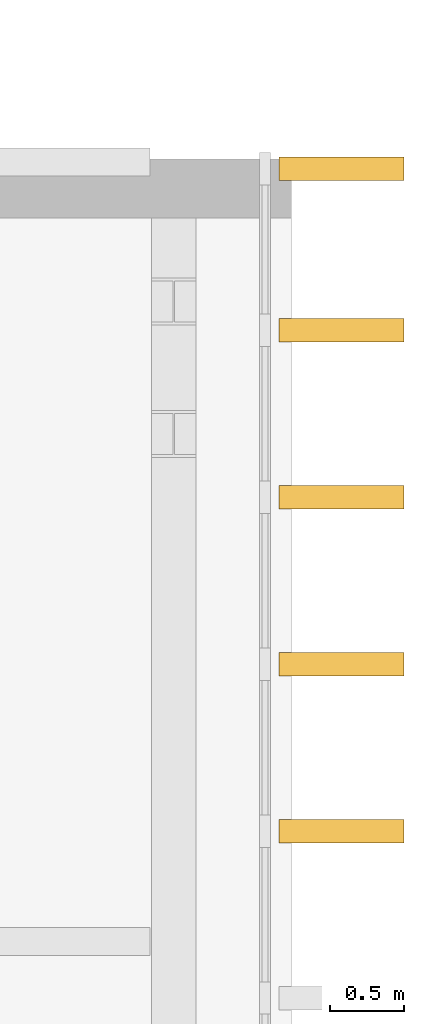
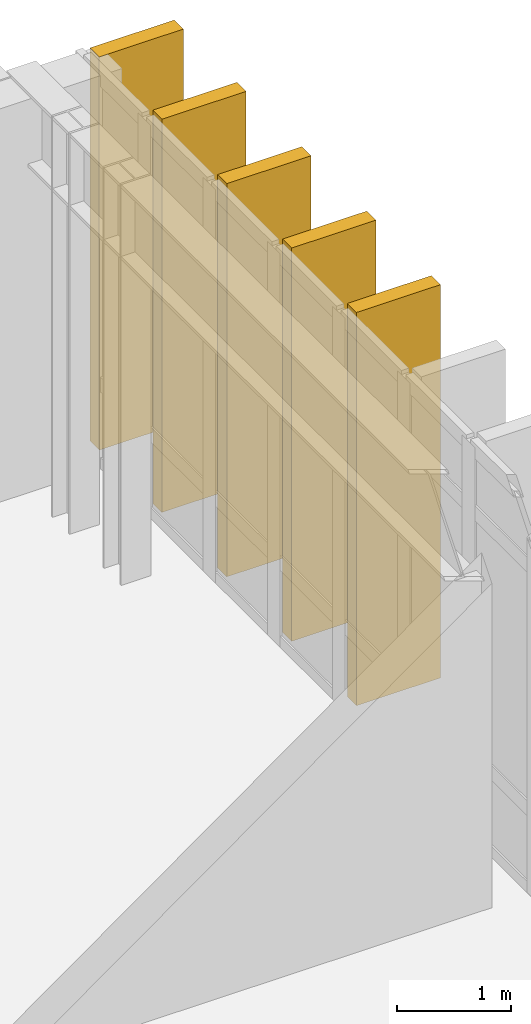
# One storey, part 23 of 23: 5 coverings.
"""IFC4 building model written with IfcOpenShell, lengths in metres."""

from ifc_helpers import new_model, si_unit, direction, frame, origin, origin_2d, place, context, subcontext, project, spatial, rectangle, extrude, material, layer, layer_set, type_object, element, save


model = new_model("IFC4")

# Units and contexts
model_context = context("Model", 3, precision=1e-05, world=origin(), true_north=direction((0.0, 1.0)))
body_context = subcontext(model_context, "Body", "Model", "MODEL_VIEW")
ifc_project = project(units=[si_unit("LENGTHUNIT", "METRE"), si_unit("AREAUNIT", "SQUARE_METRE"), si_unit("VOLUMEUNIT", "CUBIC_METRE"), si_unit("PLANEANGLEUNIT", "RADIAN"), si_unit("MASSUNIT", "GRAM", prefix="KILO")], contexts=[model_context])

# Site, building, storey
site_placement = place(None, origin())
site = spatial("IfcSite", under=ifc_project, at=site_placement, CompositionType="ELEMENT")
building_placement = place(site_placement, origin())
building = spatial("IfcBuilding", under=site, at=building_placement, Name="Kelarvand Opera House", CompositionType="ELEMENT")
storey_placement = place(building_placement, frame((0.0, 0.0, 19.5)))
storey = spatial("IfcBuildingStorey", under=building, at=storey_placement, Name="L04", CompositionType="ELEMENT", Elevation=19.5)

# Coverings
ifc_material = material(Name="Azarshahr buff travertine stone panels", Category="masonry")
ifc_layer = layer(ifc_material, 0.159912109375, Name="Azarshahr buff travertine stone panels", Category="masonry")
ifc_layer_set = layer_set([ifc_layer], Name="Azarshahr buff travertine stone panels")
covering_type = type_object("IfcCoveringType", Name="Vertical Travertine-Bronze Architectural Fin 850x160", PredefinedType="CLADDING", material=ifc_layer_set)
for number, where, z_axis, x_axis, name in (
    (1, (155.340087890625, 78.3525390625, 0.0), (0.0, 0.0, 1.0), (1.0, 0.0, 0.0), "V1 East Facade Vertical Fin 125"),
    (2, (155.340087890625, 77.25537109375, 0.0), (0.0, 0.0, 1.0), (1.0, 0.0, 0.0), "V1 East Facade Vertical Fin 126"),
    (3, (155.340087890625, 76.12060546875, 0.0), (0.0, 0.0, 1.0), (1.0, 0.0, 0.0), "V1 East Facade Vertical Fin 127"),
    (4, (155.340087890625, 74.98583984375, 0.0), (0.0, 0.0, 1.0), (1.0, 0.0, 0.0), "V1 East Facade Vertical Fin 128"),
    (5, (155.340087890625, 73.85107421875, 0.0), (0.0, 0.0, 1.0), (1.0, 0.0, 0.0), "V1 East Facade Vertical Fin 129"),
):
    element("IfcCovering", number, at=place(storey_placement, frame(where, z_axis=z_axis, x_axis=x_axis)), inside=storey, type_object=covering_type, Name=name, PredefinedType="CLADDING", context=body_context, shape_type="SweptSolid", body=[
        extrude(rectangle(XDim=0.85009765625, YDim=0.159912109375, at=origin_2d()), origin(), (0.0, 0.0, 1.0), 4.199951171875),
    ])

save(model, "model.ifc")
